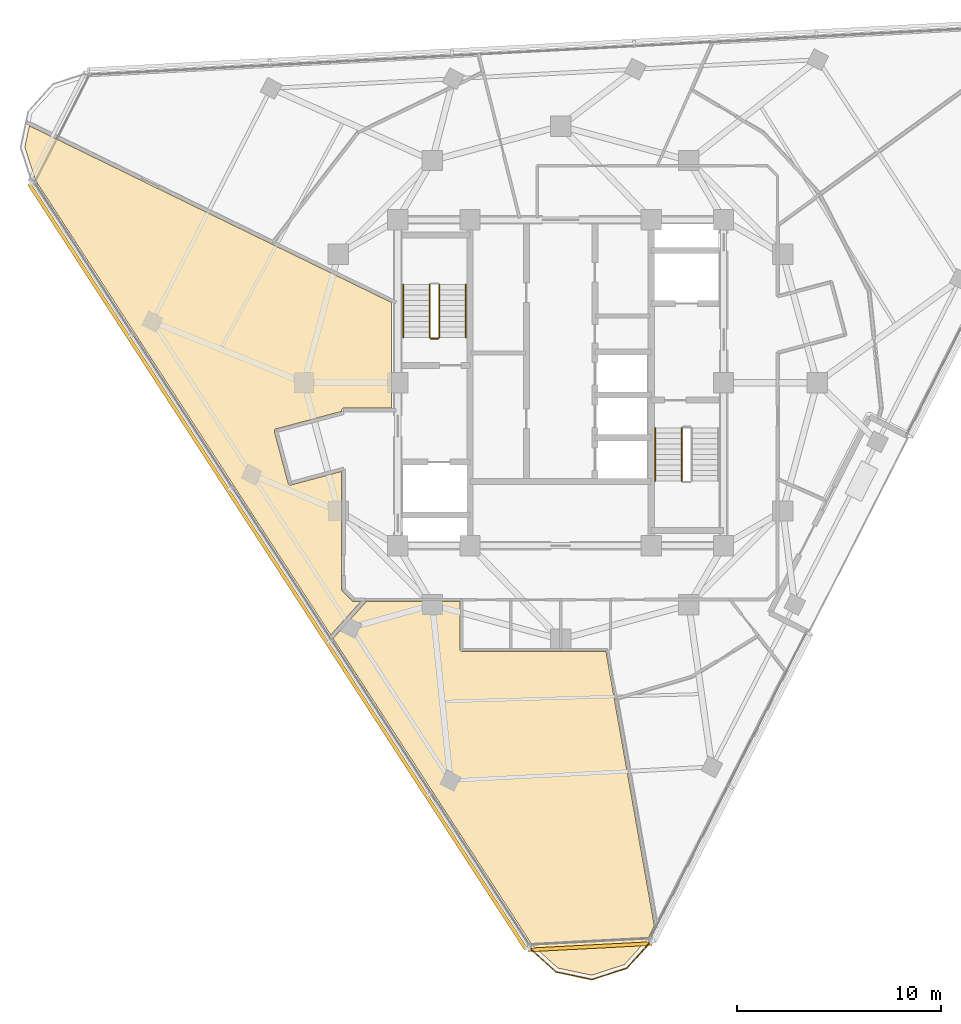
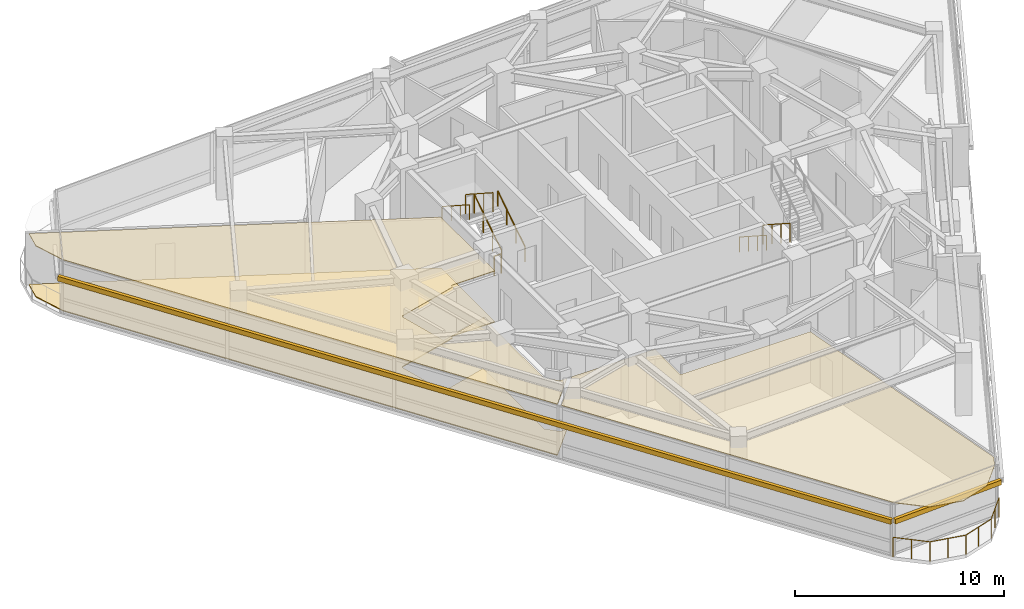
# One storey, part 12 of 15: 8 railings, 3 coverings, 2 shading devices.
"""IFC4 building model written with IfcOpenShell, lengths in metres."""

import ifcopenshell
import ifcopenshell.guid

model = None  # the IFC model being written
_history = None  # IfcOwnerHistory: only IFC2X3 demands one
_inside = {}  # id of a spatial element -> (the spatial element, [elements in it])
_under = {}  # id of a project, library or spatial element -> (it, [spatial elements below it])
_declared = {}  # id of a project -> (the project, [libraries it declares])
_typed = {}  # id of a type object -> (the type object, [elements of that type])
_made_of = {}  # id of a material, layer set ... -> (it, [elements and type objects made of it])


def new_model(schema):
    """Start an empty IFC model of exactly this schema.

    Asked for "IFC4X3", IfcOpenShell would pick the latest addendum, in which some entities
    have other attributes; the version numbers below select the first issue.
    IFC2X3 requires an IfcOwnerHistory on every rooted entity: one is made here for all.
    """
    global model, _history
    if schema == "IFC4X3":
        model = ifcopenshell.file(schema_version=(4, 3, 0, 0))
    else:
        model = ifcopenshell.file(schema=schema)
    _inside.clear()
    _under.clear()
    _declared.clear()
    _typed.clear()
    _made_of.clear()
    _history = None
    if model.schema == "IFC2X3":
        org = make("IfcOrganization", Name="unknown")
        user = make(
            "IfcPersonAndOrganization",
            ThePerson=make("IfcPerson", FamilyName="unknown"),
            TheOrganization=org,
        )
        app = make(
            "IfcApplication",
            ApplicationDeveloper=org,
            Version="unknown",
            ApplicationFullName="unknown",
            ApplicationIdentifier="unknown",
        )
        _history = make(
            "IfcOwnerHistory",
            OwningUser=user,
            OwningApplication=app,
            ChangeAction="ADDED",
            CreationDate=0,
        )
    return model


def make(cls, **values):
    """One entity of the class cls with the attributes given. An attribute that is None is left unset."""
    return model.create_entity(
        cls, **{name: value for name, value in values.items() if value is not None}
    )


def rooted(cls, **values):
    """An entity with a GlobalId (a new one), such as an element, a storey or a relation."""
    return make(cls, GlobalId=ifcopenshell.guid.new(), OwnerHistory=_history, **values)


def si_unit(unit_type, name, prefix=None):
    """IfcSIUnit, for example si_unit("LENGTHUNIT", "METRE", prefix="MILLI")."""
    return make("IfcSIUnit", UnitType=unit_type, Prefix=prefix, Name=name)


def assignment(units):
    """IfcUnitAssignment: the units of a project."""
    return None if units is None else make("IfcUnitAssignment", Units=units)


def point(xyz):
    """IfcCartesianPoint."""
    return None if xyz is None else make("IfcCartesianPoint", Coordinates=xyz)


def direction(xyz):
    """IfcDirection."""
    return None if xyz is None else make("IfcDirection", DirectionRatios=xyz)


def frame(location, z_axis=None, x_axis=None):
    """IfcAxis2Placement3D, a coordinate frame: its origin and axes. An axis left out is left unset."""
    return make(
        "IfcAxis2Placement3D",
        Location=point(location),
        Axis=direction(z_axis),
        RefDirection=direction(x_axis),
    )


def frame_2d(location, x_axis=None):
    """IfcAxis2Placement2D, a coordinate frame in the plane: its origin and x axis."""
    return make(
        "IfcAxis2Placement2D", Location=point(location), RefDirection=direction(x_axis)
    )


def origin():
    """The frame at (0, 0, 0) with its axes left unset."""
    return frame((0.0, 0.0, 0.0))


def origin_2d():
    """The frame at (0, 0) in the plane with its x axis left unset."""
    return frame_2d((0.0, 0.0))


def place(relative_to, where):
    """IfcLocalPlacement: puts the frame where relative to a parent placement (None: the world)."""
    return make(
        "IfcLocalPlacement", PlacementRelTo=relative_to, RelativePlacement=where
    )


def context(
    kind, dimensions, precision=None, world=None, true_north=None, identifier=None
):
    """IfcGeometricRepresentationContext, for example the 3D "Model" context."""
    return make(
        "IfcGeometricRepresentationContext",
        ContextIdentifier=identifier,
        ContextType=kind,
        CoordinateSpaceDimension=dimensions,
        Precision=precision,
        WorldCoordinateSystem=world,
        TrueNorth=true_north,
    )


def subcontext(parent, identifier, kind, view, scale=None):
    """IfcGeometricRepresentationSubContext, for example "Body" below "Model"."""
    return make(
        "IfcGeometricRepresentationSubContext",
        ContextIdentifier=identifier,
        ContextType=kind,
        ParentContext=parent,
        TargetScale=scale,
        TargetView=view,
    )


def project(units=None, contexts=None):
    """IfcProject with its units and contexts."""
    return rooted(
        "IfcProject",
        Name="project",
        RepresentationContexts=contexts,
        UnitsInContext=assignment(units),
    )


def spatial(cls, under=None, at=None, **own):
    """A site, building, storey or space (cls), placed at a placement, below another one or the project."""
    s = rooted(cls, ObjectPlacement=at, **own)
    if under is not None:
        _under.setdefault(under.id(), (under, []))[1].append(s)
    return s


def polyline(points):
    """IfcPolyline through the points."""
    return make("IfcPolyline", Points=[point(p) for p in points])


def profile(cls, at=None, kind="AREA", **sizes):
    """A parametric profile (cls). Its sizes go by their IFC names, for example OverallWidth=200.0."""
    return make(cls, ProfileType=kind, Position=at, **sizes)


def rectangle(**sizes):
    """IfcRectangleProfileDef."""
    return profile("IfcRectangleProfileDef", **sizes)


def circle(**sizes):
    """IfcCircleProfileDef."""
    return profile("IfcCircleProfileDef", **sizes)


def outline(outer, holes=None, kind="AREA"):
    """IfcArbitraryClosedProfileDef: a profile drawn as a closed curve; with holes, ...WithVoids."""
    if holes is None:
        return make("IfcArbitraryClosedProfileDef", ProfileType=kind, OuterCurve=outer)
    return make(
        "IfcArbitraryProfileDefWithVoids",
        ProfileType=kind,
        OuterCurve=outer,
        InnerCurves=holes,
    )


def extrude(swept, where, along, depth):
    """IfcExtrudedAreaSolid: the profile swept, set in the frame where, extruded along a direction by depth."""
    return make(
        "IfcExtrudedAreaSolid",
        SweptArea=swept,
        Position=where,
        ExtrudedDirection=direction(along),
        Depth=depth,
    )


def shape(context_of_items, identifier, shape_type, items):
    """IfcShapeRepresentation: the items that make up one representation, for example the "Body"."""
    return make(
        "IfcShapeRepresentation",
        ContextOfItems=context_of_items,
        RepresentationIdentifier=identifier,
        RepresentationType=shape_type,
        Items=items,
    )


def material(Name=None, Category=None):
    """IfcMaterial."""
    return make("IfcMaterial", Name=Name, Category=Category)


def layer(
    of_material, thickness, ventilated=None, Name=None, Category=None, Priority=None
):
    """IfcMaterialLayer: one layer of a wall or slab, of a material (None: an air gap)."""
    return make(
        "IfcMaterialLayer",
        Material=of_material,
        LayerThickness=thickness,
        IsVentilated=ventilated,
        Name=Name,
        Category=Category,
        Priority=Priority,
    )


def layer_set(layers, Name=None):
    """IfcMaterialLayerSet."""
    return make("IfcMaterialLayerSet", MaterialLayers=layers, LayerSetName=Name)


def made_of(thing, what):
    """Note that an element or type object is made of a material, layer set ...; save() writes the relation."""
    if what is not None:
        _made_of.setdefault(what.id(), (what, []))[1].append(thing)
    return thing


def type_object(cls, material=None, **own):
    """A type object (cls), such as IfcWallType, which elements share."""
    return made_of(rooted(cls, **own), material)


def element(
    cls,
    number,
    at=None,
    inside=None,
    cuts=None,
    type_object=None,
    material=None,
    context=None,
    identifier="Body",
    shape_type=None,
    held_by="IfcProductDefinitionShape",
    body=None,
    shapes=None,
    **own,
):
    """One element of the class cls, such as IfcWall. Its Tag is "e" and its number.

    at: its placement. inside: the storey or other place that contains it. cuts: it is an
    opening in that element (IfcRelVoidsElement). A single representation is given by context,
    identifier, shape_type and body (its items); several are given by shapes. held_by: the class
    of the entity that holds the representations. save() writes the other relations.
    """
    e = rooted(cls, Tag="e%d" % number, ObjectPlacement=at, **own)
    if body is not None:
        shapes = [shape(context, identifier, shape_type, body)]
    if shapes is not None:
        e.Representation = make(held_by, Representations=shapes)
    if inside is not None:
        _inside.setdefault(inside.id(), (inside, []))[1].append(e)
    if cuts is not None:
        rooted(
            "IfcRelVoidsElement", RelatingBuildingElement=cuts, RelatedOpeningElement=e
        )
    if type_object is not None:
        _typed.setdefault(type_object.id(), (type_object, []))[1].append(e)
    return made_of(e, material)


def aggregate(whole, parts):
    """IfcRelAggregates: a whole, such as a stair, and the parts it consists of."""
    return rooted("IfcRelAggregates", RelatingObject=whole, RelatedObjects=parts)


def save(model, path):
    """Write the relations noted so far, then the file.

    IfcRelAggregates (storeys below a building ...), IfcRelContainedInSpatialStructure (elements
    in a storey), IfcRelDefinesByType, IfcRelAssociatesMaterial and IfcRelDeclares: one each for
    every whole, place, type object, material and project.
    """
    for whole, parts in _under.values():
        aggregate(whole, parts)
    for where, things in _inside.values():
        rooted(
            "IfcRelContainedInSpatialStructure",
            RelatedElements=things,
            RelatingStructure=where,
        )
    for kind, things in _typed.values():
        rooted("IfcRelDefinesByType", RelatedObjects=things, RelatingType=kind)
    for what, things in _made_of.values():
        rooted("IfcRelAssociatesMaterial", RelatedObjects=things, RelatingMaterial=what)
    for by, libraries in _declared.values():
        rooted("IfcRelDeclares", RelatingContext=by, RelatedDefinitions=libraries)
    model.write(path)


model = new_model("IFC4")

# Units and contexts
model_context = context("Model", 3, precision=1e-05, world=origin(), true_north=direction((0.0, 1.0)))
body_context = subcontext(model_context, "Body", "Model", "MODEL_VIEW")
ifc_project = project(units=[si_unit("LENGTHUNIT", "METRE"), si_unit("AREAUNIT", "SQUARE_METRE"), si_unit("VOLUMEUNIT", "CUBIC_METRE"), si_unit("PLANEANGLEUNIT", "RADIAN"), si_unit("MASSUNIT", "GRAM", prefix="KILO")], contexts=[model_context])

# Site, building, storey
site_placement = place(None, origin())
site = spatial("IfcSite", under=ifc_project, at=site_placement, CompositionType="ELEMENT")
building_placement = place(site_placement, origin())
building = spatial("IfcBuilding", under=site, at=building_placement, Name="Terralouvre Media Tower", CompositionType="ELEMENT")
storey_placement = place(building_placement, frame((0.0, 0.0, 252.199951171875)))
storey = spatial("IfcBuildingStorey", under=building, at=storey_placement, Name="L65", CompositionType="ELEMENT", Elevation=252.199951171875)

# Coverings
ifc_material_1 = material(Name="Resilient elastomer acoustic broadcast studio flooring")
ifc_layer_1 = layer(ifc_material_1, 0.050048828125, Name="Broadcast Studio Acoustic Floating Floor FL-AC1")
ifc_layer_set_1 = layer_set([ifc_layer_1], Name="Resilient elastomer acoustic broadcast studio flooring")
covering_type_1 = type_object("IfcCoveringType", Name="Broadcast Studio Acoustic Floating Floor FL-AC1", PredefinedType="FLOORING", material=ifc_layer_set_1)
covering_1_placement = place(storey_placement, frame((0.0, 0.0, 0.0), z_axis=(0.0, 0.0, 1.0), x_axis=(0.45399049974, 0.891006524188, 0.0)))
element("IfcCovering", 1, at=covering_1_placement, inside=storey, type_object=covering_type_1, Name="L65 Audio Digitisation Control Room 1 Acoustic Floating Floor", PredefinedType="FLOORING", context=body_context, shape_type="SweptSolid", body=[
    extrude(outline(polyline([(-14.186279296875, 4.163330078125), (-14.1904296875, 4.17236328125), (-14.193603515625, 4.181640625), (-14.195556640625, 4.191162109375), (-14.197021484375, 4.200927734375), (-14.197265625, 4.210693359375), (-14.196533203125, 4.220458984375), (-14.19482421875, 4.230224609375), (-14.1923828125, 4.239501953125), (-13.973876953125, 4.912109375), (-13.97021484375, 4.92138671875), (-13.966064453125, 4.929931640625), (-13.960693359375, 4.9384765625), (-13.954833984375, 4.946044921875), (-13.947998046875, 4.953369140625), (-13.940673828125, 4.959716796875), (-13.9326171875, 4.96533203125), (-13.924072265625, 4.97021484375), (-8.760986328125, 7.60107421875), (-10.49365234375, 9.525146484375), (-10.5, 9.532958984375), (-10.50537109375, 9.541015625), (-10.510009765625, 9.5498046875), (-10.513671875, 9.558837890625), (-10.5166015625, 9.568115234375), (-10.518310546875, 9.577880859375), (-10.519287109375, 9.587646484375), (-10.519287109375, 9.597412109375), (-10.518310546875, 9.607177734375), (-10.516357421875, 9.61669921875), (-10.513427734375, 9.626220703125), (-10.509765625, 9.63525390625), (-10.5048828125, 9.643798828125), (-10.49951171875, 9.652099609375), (-10.4931640625, 9.65966796875), (-10.486328125, 9.66650390625), (-8.516357421875, 11.439208984375), (-8.5087890625, 11.4453125), (-8.50048828125, 11.45068359375), (-8.491943359375, 11.455322265625), (-8.482666015625, 11.458984375), (-8.473388671875, 11.4619140625), (-8.463623046875, 11.463623046875), (-8.453857421875, 11.464599609375), (-8.444091796875, 11.464599609375), (-8.434326171875, 11.463623046875), (-8.4248046875, 11.461669921875), (-8.415283203125, 11.458740234375), (-8.406494140625, 11.455078125), (-8.397705078125, 11.450439453125), (-8.3896484375, 11.44482421875), (-8.382080078125, 11.4384765625), (-8.375, 11.431640625), (-6.132568359375, 8.9404296875), (-6.083251953125, 8.96533203125), (-6.07421875, 8.969482421875), (-6.06494140625, 8.97265625), (-6.055419921875, 8.974853515625), (-6.045654296875, 8.97607421875), (-6.035888671875, 8.976318359375), (-6.026123046875, 8.9755859375), (-6.016357421875, 8.973876953125), (-6.007080078125, 8.971435546875), (-5.997802734375, 8.968017578125), (-5.989013671875, 8.963623046875), (-5.980712890625, 8.958251953125), (-5.972900390625, 8.952392578125), (-5.9658203125, 8.945556640625), (-5.959228515625, 8.938232421875), (-5.95361328125, 8.93017578125), (-5.94873046875, 8.921630859375), (-4.886474609375, 6.836669921875), (-0.2607421875, 9.193603515625), (-0.37451171875, 15.70458984375), (-0.60546875, 28.97509765625), (-1.635986328125, 28.698974609375), (-2.85546875, 27.479736328125), (-16.160400390625, 4.43359375), (-14.03369140625, 3.863525390625), (-14.186279296875, 4.163330078125)])), origin(), (0.0, 0.0, 1.0), 0.050048828125),
])
ifc_material_2 = material(Name="Perforated aluminium acoustic ceiling baffle", Category="aluminium")
ifc_layer_2 = layer(ifc_material_2, 0.0400390625, Name="Perforated Acoustic Metal Tile Ceiling CL-AC1")
ifc_layer_set_2 = layer_set([ifc_layer_2], Name="Perforated aluminium acoustic ceiling baffle")
covering_type_2 = type_object("IfcCoveringType", Name="Perforated Acoustic Metal Tile Ceiling CL-AC1", PredefinedType="CEILING", material=ifc_layer_set_2)
covering_2_placement = place(storey_placement, frame((0.0, 0.0, 2.97998046875), z_axis=(0.0, 0.0, 1.0), x_axis=(0.45399049974, 0.891006524188, 0.0)))
element("IfcCovering", 2, at=covering_2_placement, inside=storey, type_object=covering_type_2, Name="L65 Audio Digitisation Control Room 1 Acoustic Ceiling", PredefinedType="CEILING", context=body_context, shape_type="SweptSolid", body=[
    extrude(outline(polyline([(-14.186279296875, 4.163330078125), (-14.1904296875, 4.17236328125), (-14.193603515625, 4.181640625), (-14.195556640625, 4.191162109375), (-14.197021484375, 4.200927734375), (-14.197265625, 4.210693359375), (-14.196533203125, 4.220458984375), (-14.19482421875, 4.230224609375), (-14.1923828125, 4.239501953125), (-13.973876953125, 4.912109375), (-13.97021484375, 4.92138671875), (-13.966064453125, 4.929931640625), (-13.960693359375, 4.9384765625), (-13.954833984375, 4.946044921875), (-13.947998046875, 4.953369140625), (-13.940673828125, 4.959716796875), (-13.9326171875, 4.96533203125), (-13.924072265625, 4.97021484375), (-8.760986328125, 7.60107421875), (-10.49365234375, 9.525146484375), (-10.5, 9.532958984375), (-10.50537109375, 9.541015625), (-10.510009765625, 9.5498046875), (-10.513671875, 9.558837890625), (-10.5166015625, 9.568115234375), (-10.518310546875, 9.577880859375), (-10.519287109375, 9.587646484375), (-10.519287109375, 9.597412109375), (-10.518310546875, 9.607177734375), (-10.516357421875, 9.61669921875), (-10.513427734375, 9.626220703125), (-10.509765625, 9.63525390625), (-10.5048828125, 9.643798828125), (-10.49951171875, 9.652099609375), (-10.4931640625, 9.65966796875), (-10.486328125, 9.66650390625), (-8.516357421875, 11.439208984375), (-8.5087890625, 11.4453125), (-8.50048828125, 11.45068359375), (-8.491943359375, 11.455322265625), (-8.482666015625, 11.458984375), (-8.473388671875, 11.4619140625), (-8.463623046875, 11.463623046875), (-8.453857421875, 11.464599609375), (-8.444091796875, 11.464599609375), (-8.434326171875, 11.463623046875), (-8.4248046875, 11.461669921875), (-8.415283203125, 11.458740234375), (-8.406494140625, 11.455078125), (-8.397705078125, 11.450439453125), (-8.3896484375, 11.44482421875), (-8.382080078125, 11.4384765625), (-8.375, 11.431640625), (-6.132568359375, 8.9404296875), (-6.083251953125, 8.96533203125), (-6.07421875, 8.969482421875), (-6.06494140625, 8.97265625), (-6.055419921875, 8.974853515625), (-6.045654296875, 8.97607421875), (-6.035888671875, 8.976318359375), (-6.026123046875, 8.9755859375), (-6.016357421875, 8.973876953125), (-6.007080078125, 8.971435546875), (-5.997802734375, 8.968017578125), (-5.989013671875, 8.963623046875), (-5.980712890625, 8.958251953125), (-5.972900390625, 8.952392578125), (-5.9658203125, 8.945556640625), (-5.959228515625, 8.938232421875), (-5.95361328125, 8.93017578125), (-5.94873046875, 8.921630859375), (-4.886474609375, 6.836669921875), (-0.2607421875, 9.193603515625), (-0.37451171875, 15.70458984375), (-0.60546875, 28.97509765625), (-1.635986328125, 28.698974609375), (-2.85546875, 27.479736328125), (-16.160400390625, 4.43359375), (-14.03369140625, 3.863525390625), (-14.186279296875, 4.163330078125)])), origin(), (0.0, 0.0, 1.0), 0.0400390625),
])
covering_3_placement = place(storey_placement, frame((0.0, 0.0, 2.97998046875), z_axis=(0.0, 0.0, 1.0), x_axis=(0.45399049974, 0.891006524188, 0.0)))
element("IfcCovering", 3, at=covering_3_placement, inside=storey, type_object=covering_type_2, Name="L65 Arts Critique Seminar Room 3 Acoustic Ceiling", PredefinedType="CEILING", context=body_context, shape_type="SweptSolid", body=[
    extrude(outline(polyline([(-21.68115234375, -16.212890625), (-12.63818359375, -9.3984375), (-10.750732421875, -7.97607421875), (-13.963134765625, -1.67138671875), (-13.967041015625, -1.662353515625), (-13.97021484375, -1.653076171875), (-13.972412109375, -1.6435546875), (-13.973876953125, -1.6337890625), (-13.97412109375, -1.6240234375), (-13.973388671875, -1.614013671875), (-13.9716796875, -1.6044921875), (-13.96923828125, -1.594970703125), (-13.965576171875, -1.585693359375), (-13.96142578125, -1.5771484375), (-13.9560546875, -1.568603515625), (-13.9501953125, -1.56103515625), (-13.943359375, -1.5537109375), (-13.93603515625, -1.54736328125), (-13.927978515625, -1.541748046875), (-13.91943359375, -1.536865234375), (-11.82568359375, -0.469970703125), (-13.911376953125, 3.623779296875), (-16.263916015625, 4.25439453125), (-25.225830078125, -11.26708984375), (-25.672607421875, -12.9326171875), (-25.23388671875, -14.568359375), (-24.036376953125, -15.766357421875), (-22.370849609375, -16.212158203125), (-21.68115234375, -16.212890625)])), origin(), (0.0, 0.0, 1.0), 0.0400390625),
])

# Railings
ifc_material_3 = material(Name="Stainless steel 316 handrail and balustrade", Category="steel")
ifc_layer_3 = layer(ifc_material_3, 0.06005859375, Name="Roof Edge Safety Guardrail GR-ROOF1")
ifc_layer_set_3 = layer_set([ifc_layer_3], Name="Stainless steel 316 handrail and balustrade")
railing_type_1 = type_object("IfcRailingType", Name="Roof Edge Safety Guardrail GR-ROOF1", PredefinedType="GUARDRAIL", material=ifc_layer_set_3)
railing_1_placement = place(storey_placement, frame((-1.580810546875, -27.72119140625, 0.0)))
element("IfcRailing", 4, at=railing_1_placement, inside=storey, type_object=railing_type_1, Name="L65 Wind-Corner Perimeter Safety Guardrail C0", PredefinedType="GUARDRAIL", context=body_context, shape_type="SweptSolid", body=[
    extrude(circle(Radius=0.02099609375, at=origin_2d()), frame((0.0, 0.0, 1.12890625), z_axis=(0.743012566317, -0.66927746585, 0.0), x_axis=(0.66927746585, 0.743012566317, 0.0)), (0.0, 0.0, 1.0), 1.81103515625),
    extrude(circle(Radius=0.02099609375, at=origin_2d()), frame((1.345703125, -1.212158203125, 1.12890625), z_axis=(0.978122858597, -0.208028059382, 0.0), x_axis=(0.208028059382, 0.978122858597, 0.0)), (0.0, 0.0, 1.0), 1.810791015625),
    extrude(circle(Radius=0.02099609375, at=origin_2d()), frame((3.116943359375, -1.5888671875, 1.12890625), z_axis=(0.951016233487, 0.309140944625, 0.0), x_axis=(-0.309140944625, 0.951016233487, 0.0)), (0.0, 0.0, 1.0), 1.810791015625),
    extrude(circle(Radius=0.02099609375, at=origin_2d()), frame((4.839111328125, -1.029052734375, 1.12890625), z_axis=(0.668920042495, 0.74333436403, 0.0), x_axis=(-0.74333436403, 0.668920042495, 0.0)), (0.0, 0.0, 1.0), 1.81103515625),
    extrude(circle(Radius=0.01904296875, at=origin_2d()), origin(), (0.0, 0.0, 1.0), 1.10791015625),
    extrude(circle(Radius=0.01904296875, at=origin_2d()), frame((0.6728515625, -0.60595703125, 0.0)), (0.0, 0.0, 1.0), 1.10791015625),
    extrude(circle(Radius=0.01904296875, at=origin_2d()), frame((1.345703125, -1.212158203125, 0.0)), (0.0, 0.0, 1.0), 1.10791015625),
    extrude(circle(Radius=0.01904296875, at=origin_2d()), frame((2.2314453125, -1.400390625, 0.0)), (0.0, 0.0, 1.0), 1.10791015625),
    extrude(circle(Radius=0.01904296875, at=origin_2d()), frame((3.116943359375, -1.5888671875, 0.0)), (0.0, 0.0, 1.0), 1.10791015625),
    extrude(circle(Radius=0.01904296875, at=origin_2d()), frame((3.97802734375, -1.30908203125, 0.0)), (0.0, 0.0, 1.0), 1.10791015625),
    extrude(circle(Radius=0.01904296875, at=origin_2d()), frame((4.839111328125, -1.029052734375, 0.0)), (0.0, 0.0, 1.0), 1.10791015625),
    extrude(circle(Radius=0.01904296875, at=origin_2d()), frame((5.44482421875, -0.35595703125, 0.0)), (0.0, 0.0, 1.0), 1.10791015625),
    extrude(circle(Radius=0.01904296875, at=origin_2d()), frame((6.050537109375, 0.317138671875, 0.0)), (0.0, 0.0, 1.0), 1.10791015625),
])
ifc_material_4 = material(Name="Stainless steel 316 handrail and balustrade", Category="steel")
ifc_layer_4 = layer(ifc_material_4, 0.050048828125, Name="Stair Flight Wall Handrail HR-INT1")
ifc_layer_set_4 = layer_set([ifc_layer_4], Name="Stainless steel 316 handrail and balustrade")
railing_type_2 = type_object("IfcRailingType", Name="Stair Flight Wall Handrail HR-INT1", PredefinedType="HANDRAIL", material=ifc_layer_set_4)
railing_2_placement = place(storey_placement, frame((-4.64990234375, 2.219970703125, 0.168212890625)))
element("IfcRailing", 5, at=railing_2_placement, inside=storey, type_object=railing_type_2, Name="L65 ST-01 stair handrail 1", PredefinedType="HANDRAIL", context=body_context, shape_type="SweptSolid", body=[
    extrude(circle(Radius=0.02392578125, at=origin_2d()), frame((0.0, 0.0, 0.8759765625), z_axis=(0.0, 0.839648411786, 0.543130320075), x_axis=(-1.0, 0.0, 0.0)), (0.0, 0.0, 1.0), 3.0966796875),
    extrude(circle(Radius=0.02099609375, at=origin_2d()), origin(), (0.0, 0.0, 1.0), 0.851806640625),
    extrude(circle(Radius=0.02099609375, at=origin_2d()), frame((0.0, 0.86669921875, 0.560546875)), (0.0, 0.0, 1.0), 0.851806640625),
    extrude(circle(Radius=0.02099609375, at=origin_2d()), frame((0.0, 1.7333984375, 1.121337890625)), (0.0, 0.0, 1.0), 0.851806640625),
    extrude(circle(Radius=0.02099609375, at=origin_2d()), frame((0.0, 2.60009765625, 1.681884765625)), (0.0, 0.0, 1.0), 0.851806640625),
])
railing_3_placement = place(storey_placement, frame((-7.72998046875, 4.820068359375, 2.018310546875)))
element("IfcRailing", 6, at=railing_3_placement, inside=storey, type_object=railing_type_2, Name="L65 ST-01 stair handrail 2", PredefinedType="HANDRAIL", context=body_context, shape_type="SweptSolid", body=[
    extrude(circle(Radius=0.02392578125, at=origin_2d()), frame((0.0, 0.0, 0.8759765625), z_axis=(0.0, -0.839684365666, 0.543074733399), x_axis=(1.0, 0.0, 0.0)), (0.0, 0.0, 1.0), 3.096435546875),
    extrude(circle(Radius=0.02099609375, at=origin_2d()), origin(), (0.0, 0.0, 1.0), 0.851806640625),
    extrude(circle(Radius=0.02099609375, at=origin_2d()), frame((0.0, -0.86669921875, 0.560546875)), (0.0, 0.0, 1.0), 0.851806640625),
    extrude(circle(Radius=0.02099609375, at=origin_2d()), frame((0.0, -1.7333984375, 1.12109375)), (0.0, 0.0, 1.0), 0.851806640625),
    extrude(circle(Radius=0.02099609375, at=origin_2d()), frame((0.0, -2.60009765625, 1.681640625)), (0.0, 0.0, 1.0), 0.851806640625),
])
railing_4_placement = place(storey_placement, frame((4.64990234375, -2.219970703125, 0.168212890625)))
element("IfcRailing", 7, at=railing_4_placement, inside=storey, type_object=railing_type_2, Name="L65 ST-02 stair handrail 1", PredefinedType="HANDRAIL", context=body_context, shape_type="SweptSolid", body=[
    extrude(circle(Radius=0.02392578125, at=origin_2d()), frame((0.0, 0.0, 0.8759765625), z_axis=(0.0, -0.839648411786, 0.543130320075), x_axis=(1.0, 0.0, 0.0)), (0.0, 0.0, 1.0), 3.0966796875),
    extrude(circle(Radius=0.02099609375, at=origin_2d()), origin(), (0.0, 0.0, 1.0), 0.851806640625),
    extrude(circle(Radius=0.02099609375, at=origin_2d()), frame((0.0, -0.86669921875, 0.560546875)), (0.0, 0.0, 1.0), 0.851806640625),
    extrude(circle(Radius=0.02099609375, at=origin_2d()), frame((0.0, -1.7333984375, 1.121337890625)), (0.0, 0.0, 1.0), 0.851806640625),
    extrude(circle(Radius=0.02099609375, at=origin_2d()), frame((0.0, -2.60009765625, 1.681884765625)), (0.0, 0.0, 1.0), 0.851806640625),
])
ifc_material_5 = material(Name="Stainless steel 316 handrail and balustrade", Category="steel")
ifc_layer_5 = layer(ifc_material_5, 0.050048828125, Name="Stairwell Safety Guardrail GR-INT1")
ifc_layer_set_5 = layer_set([ifc_layer_5], Name="Stainless steel 316 handrail and balustrade")
railing_type_3 = type_object("IfcRailingType", Name="Stairwell Safety Guardrail GR-INT1", PredefinedType="GUARDRAIL", material=ifc_layer_set_5)
railing_5_placement = place(storey_placement, frame((-5.949951171875, 2.219970703125, 0.168212890625)))
element("IfcRailing", 8, at=railing_5_placement, inside=storey, type_object=railing_type_3, Name="L65 ST-01 stair guard 1", PredefinedType="GUARDRAIL", context=body_context, shape_type="SweptSolid", body=[
    extrude(circle(Radius=0.02392578125, at=origin_2d()), frame((0.0, 0.0, 1.1259765625), z_axis=(0.0, 0.839648411786, 0.543130320075), x_axis=(-1.0, 0.0, 0.0)), (0.0, 0.0, 1.0), 3.0966796875),
    extrude(circle(Radius=0.02099609375, at=origin_2d()), origin(), (0.0, 0.0, 1.0), 1.101806640625),
    extrude(circle(Radius=0.02099609375, at=origin_2d()), frame((0.0, 0.86669921875, 0.560546875)), (0.0, 0.0, 1.0), 1.101806640625),
    extrude(circle(Radius=0.02099609375, at=origin_2d()), frame((0.0, 1.7333984375, 1.121337890625)), (0.0, 0.0, 1.0), 1.101806640625),
    extrude(circle(Radius=0.02099609375, at=origin_2d()), frame((0.0, 2.60009765625, 1.681884765625)), (0.0, 0.0, 1.0), 1.101806640625),
])
railing_6_placement = place(storey_placement, frame((-6.429931640625, 4.820068359375, 2.018310546875)))
element("IfcRailing", 9, at=railing_6_placement, inside=storey, type_object=railing_type_3, Name="L65 ST-01 stair guard 3", PredefinedType="GUARDRAIL", context=body_context, shape_type="SweptSolid", body=[
    extrude(circle(Radius=0.02392578125, at=origin_2d()), frame((0.0, 0.0, 1.1259765625), z_axis=(0.0, -0.839684365666, 0.543074733399), x_axis=(1.0, 0.0, 0.0)), (0.0, 0.0, 1.0), 3.096435546875),
    extrude(circle(Radius=0.02099609375, at=origin_2d()), origin(), (0.0, 0.0, 1.0), 1.101806640625),
    extrude(circle(Radius=0.02099609375, at=origin_2d()), frame((0.0, -0.86669921875, 0.560546875)), (0.0, 0.0, 1.0), 1.101806640625),
    extrude(circle(Radius=0.02099609375, at=origin_2d()), frame((0.0, -1.7333984375, 1.12109375)), (0.0, 0.0, 1.0), 1.101806640625),
    extrude(circle(Radius=0.02099609375, at=origin_2d()), frame((0.0, -2.60009765625, 1.681640625)), (0.0, 0.0, 1.0), 1.101806640625),
])
railing_7_placement = place(storey_placement, frame((-6.0, 2.169921875, 0.0)))
element("IfcRailing", 10, at=railing_7_placement, inside=storey, type_object=railing_type_3, Name="L65 ST-01 stair guard 4", PredefinedType="GUARDRAIL", context=body_context, shape_type="SweptSolid", body=[
    extrude(circle(Radius=0.02392578125, at=origin_2d()), frame((0.0, 0.0, 1.1259765625), z_axis=(-1.0, 0.0, 0.0), x_axis=(0.0, -1.0, 0.0)), (0.0, 0.0, 1.0), 0.3798828125),
    extrude(circle(Radius=0.02099609375, at=origin_2d()), origin(), (0.0, 0.0, 1.0), 1.101806640625),
    extrude(circle(Radius=0.02099609375, at=origin_2d()), frame((-0.3798828125, 0.0, 0.0)), (0.0, 0.0, 1.0), 1.101806640625),
])
railing_8_placement = place(storey_placement, frame((5.949951171875, -2.219970703125, 0.168212890625)))
element("IfcRailing", 11, at=railing_8_placement, inside=storey, type_object=railing_type_3, Name="L65 ST-02 stair guard 1", PredefinedType="GUARDRAIL", context=body_context, shape_type="SweptSolid", body=[
    extrude(circle(Radius=0.02392578125, at=origin_2d()), frame((0.0, 0.0, 1.1259765625), z_axis=(0.0, -0.839648411786, 0.543130320075), x_axis=(1.0, 0.0, 0.0)), (0.0, 0.0, 1.0), 3.0966796875),
    extrude(circle(Radius=0.02099609375, at=origin_2d()), origin(), (0.0, 0.0, 1.0), 1.101806640625),
    extrude(circle(Radius=0.02099609375, at=origin_2d()), frame((0.0, -0.86669921875, 0.560546875)), (0.0, 0.0, 1.0), 1.101806640625),
    extrude(circle(Radius=0.02099609375, at=origin_2d()), frame((0.0, -1.7333984375, 1.121337890625)), (0.0, 0.0, 1.0), 1.101806640625),
    extrude(circle(Radius=0.02099609375, at=origin_2d()), frame((0.0, -2.60009765625, 1.681884765625)), (0.0, 0.0, 1.0), 1.101806640625),
])

# Shading devices
ifc_material_6 = material(Name="Extruded terracotta baguette sunshade louvres", Category="masonry")
shading_device_type = type_object("IfcShadingDeviceType", Name="Terracotta Baguette Sunshade Louvre Screen TB-LV1", PredefinedType="USERDEFINED", material=ifc_material_6)
shading_device_1_placement = place(storey_placement, frame((-13.89892578125, -9.026123046875, 2.02392578125), z_axis=(0.0, 0.0, 1.0), x_axis=(0.544639069077, -0.838670545826, 0.0)))
element("IfcShadingDevice", 12, at=shading_device_1_placement, inside=storey, type_object=shading_device_type, Name="CW-L65-F2 Terracotta Baguette Sunshade Louvre", ObjectType="BAGUETTE", PredefinedType="USERDEFINED", context=body_context, shape_type="SweptSolid", body=[
    extrude(rectangle(XDim=44.800048828125, YDim=0.179931640625, at=origin_2d()), origin(), (0.0, 0.0, 1.0), 0.280029296875),
])
shading_device_2_placement = place(storey_placement, frame((1.45166015625, -27.697265625, 2.02392578125), z_axis=(0.0, 0.0, 1.0), x_axis=(0.998629533744, 0.05233597552, 0.0)))
element("IfcShadingDevice", 13, at=shading_device_2_placement, inside=storey, type_object=shading_device_type, Name="CW-L65-C0 Terracotta Baguette Sunshade Louvre", ObjectType="BAGUETTE", PredefinedType="USERDEFINED", context=body_context, shape_type="SweptSolid", body=[
    extrude(rectangle(XDim=6.062255859375, YDim=0.179931640625, at=origin_2d()), origin(), (0.0, 0.0, 1.0), 0.280029296875),
])

save(model, "model.ifc")
